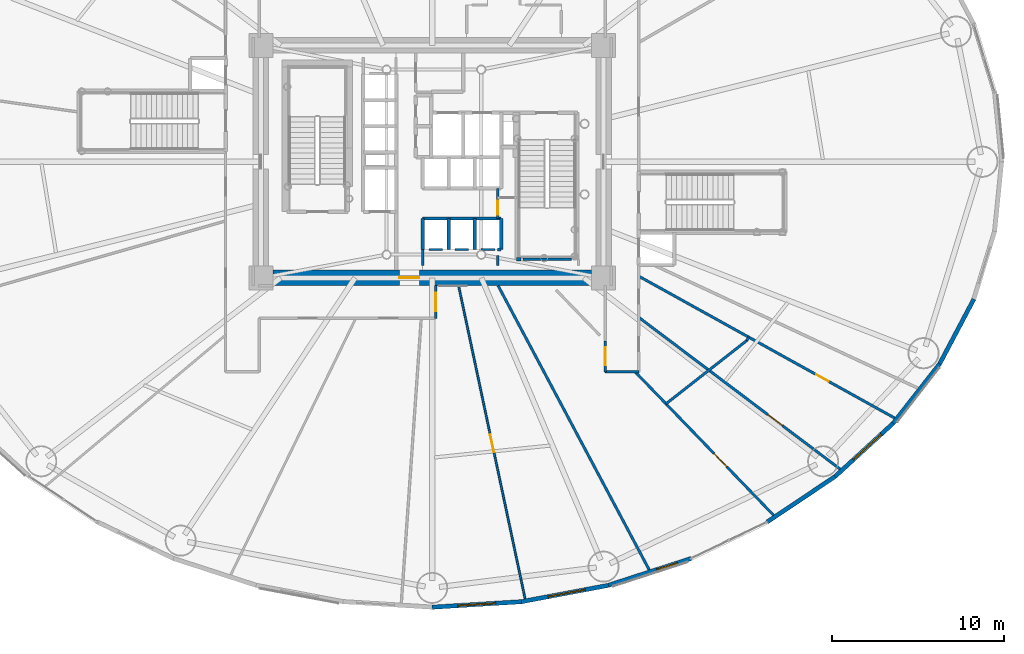
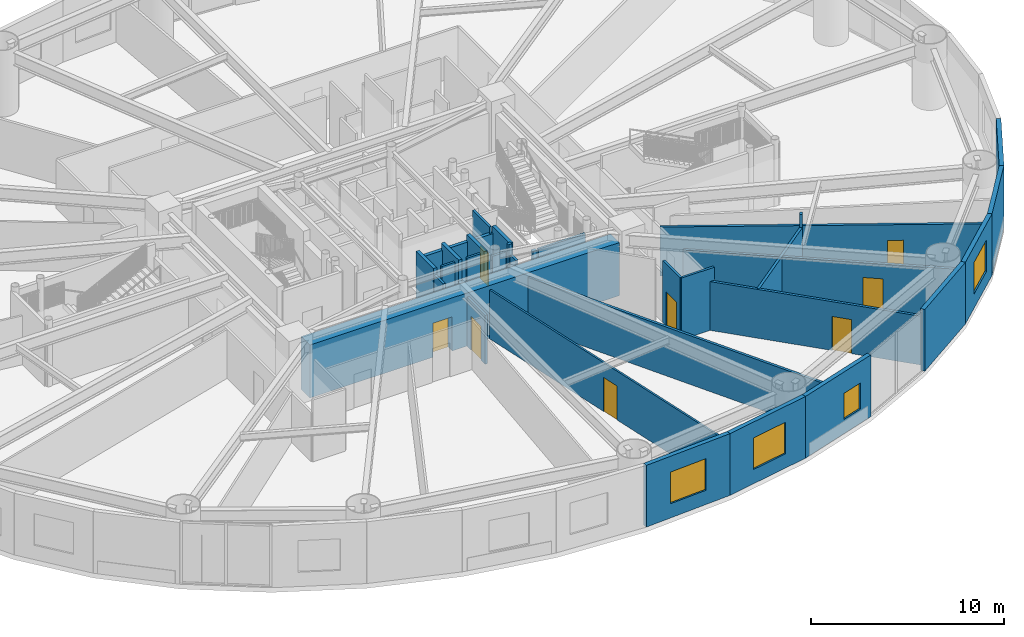
# One storey, part 14 of 27: 32 walls, 8 doors, 4 windows, 12 openings.
"""IFC4 building model written with IfcOpenShell, lengths in metres."""

from ifc_helpers import new_model, si_unit, direction, frame, frame_2d, origin, origin_2d, place, context, subcontext, project, spatial, rectangle, extrude, source, transform, mapped, material, layer, layer_set, type_object, element, fill, save


model = new_model("IFC4")

# Units and contexts
model_context = context("Model", 3, precision=1e-05, world=origin(), true_north=direction((0.0, 1.0)))
body_context = subcontext(model_context, "Body", "Model", "MODEL_VIEW")
ifc_project = project(units=[si_unit("LENGTHUNIT", "METRE"), si_unit("AREAUNIT", "SQUARE_METRE"), si_unit("VOLUMEUNIT", "CUBIC_METRE"), si_unit("PLANEANGLEUNIT", "RADIAN"), si_unit("MASSUNIT", "GRAM", prefix="KILO")], contexts=[model_context])

# Site, building, storey
site_placement = place(None, origin())
site = spatial("IfcSite", under=ifc_project, at=site_placement, CompositionType="ELEMENT")
building_placement = place(site_placement, origin())
building = spatial("IfcBuilding", under=site, at=building_placement, Name="Linh Dai School and Residence Tower", CompositionType="ELEMENT")
storey_placement = place(building_placement, frame((0.0, 0.0, 14.39990234375)))
storey = spatial("IfcBuildingStorey", under=building, at=storey_placement, Name="L03", CompositionType="ELEMENT", Elevation=14.39990234375)

# Wall, opening, window
ifc_material_1 = material(Name="Precast Concrete B45 (C35/45)", Category="concrete")
ifc_layer_1 = layer(ifc_material_1, 0.25)
ifc_layer_set_1 = layer_set([ifc_layer_1], Name="Precast Concrete B45 (C35/45)")
wall_type_1 = type_object("IfcWallType", Name="EW-TC-250", PredefinedType="SOLIDWALL", material=ifc_layer_set_1)
wall_1_placement = place(storey_placement, frame((41.17822265625, 1.444091796875, 0.0), z_axis=(0.0, 0.0, 1.0), x_axis=(-0.998106762298, -0.061505211614, 0.0)))
wall_1 = element("IfcWall", 1, at=wall_1_placement, inside=storey, type_object=wall_type_1, Name="L03 Terracotta Exterior Wall 31", PredefinedType="SOLIDWALL", context=body_context, shape_type="SweptSolid", body=[
    extrude(rectangle(XDim=5.18798828125, YDim=0.25, at=frame_2d((2.593994140625, 0.0))), origin(), (0.0, 0.0, 1.0), 3.900146484375),
])
opening_1_placement = place(wall_1_placement, frame((1.493896484375, 0.0, 0.89990234375)))
opening_1 = element("IfcOpeningElement", 2, at=opening_1_placement, cuts=wall_1, Name="Opening W4", PredefinedType="OPENING", context=body_context, shape_type="SweptSolid", body=[
    extrude(rectangle(XDim=2.199951171875, YDim=2.0, at=origin_2d()), frame((1.10009765625, 0.135009765625, 1.0), z_axis=(0.0, -1.0, 0.0), x_axis=(1.0, 0.0, 0.0)), (0.0, 0.0, 1.0), 0.27001953125),
])
ifc_material_2 = material(Name="Acoustic Laminated Low-E Glazing", Category="glass")
window_type_1 = type_object("IfcWindowType", Name="WN-SCH-2200x2000", PartitioningType="TRIPLE_PANEL_VERTICAL", PredefinedType="WINDOW", material=ifc_material_2)
shared_shape_1 = source(origin(), body_context, "Body", "SweptSolid", [
    extrude(rectangle(XDim=2.199951171875, YDim=2.0, at=origin_2d()), frame((1.10009765625, 0.030029296875, 1.0), z_axis=(0.0, -1.0, 0.0), x_axis=(1.0, 0.0, 0.0)), (0.0, 0.0, 1.0), 0.06005859375),
])
window_1_placement = place(opening_1_placement, origin())
window_1 = element("IfcWindow", 3, at=window_1_placement, inside=storey, type_object=window_type_1, Name="L03 Exterior Window 31.1", OverallHeight=2.0, OverallWidth=2.199951171875, PartitioningType="TRIPLE_PANEL_VERTICAL", PredefinedType="WINDOW", context=body_context, shape_type="MappedRepresentation", body=[
    mapped(shared_shape_1, transform((0.0, 0.0, 0.0), x_axis=(1.0, 0.0, 0.0), y_axis=(0.0, 1.0, 0.0), z_axis=(0.0, 0.0, 1.0), scale=1.0)),
])
fill(opening_1, window_1)

wall_2_placement = place(storey_placement, frame((46.228515625, 2.3935546875, 0.0), z_axis=(0.0, 0.0, 1.0), x_axis=(-0.98278278947, -0.184764684726, 0.0)))
wall_2 = element("IfcWall", 4, at=wall_2_placement, inside=storey, type_object=wall_type_1, Name="L03 Terracotta Exterior Wall 32", PredefinedType="SOLIDWALL", context=body_context, shape_type="SweptSolid", body=[
    extrude(rectangle(XDim=5.138671875, YDim=0.25, at=frame_2d((2.5693359375, 0.0))), origin(), (0.0, 0.0, 1.0), 3.900146484375),
])
opening_2_placement = place(wall_2_placement, frame((1.3505859375, 0.0, 0.89990234375)))
opening_2 = element("IfcOpeningElement", 5, at=opening_2_placement, cuts=wall_2, Name="Opening W4", PredefinedType="OPENING", context=body_context, shape_type="SweptSolid", body=[
    extrude(rectangle(XDim=2.199951171875, YDim=2.0, at=origin_2d()), frame((1.10009765625, 0.135009765625, 1.0), z_axis=(0.0, -1.0, 0.0), x_axis=(1.0, 0.0, 0.0)), (0.0, 0.0, 1.0), 0.27001953125),
])
window_2_placement = place(opening_2_placement, origin())
window_2 = element("IfcWindow", 6, at=window_2_placement, inside=storey, type_object=window_type_1, Name="L03 Exterior Window 32.1", OverallHeight=2.0, OverallWidth=2.199951171875, PartitioningType="TRIPLE_PANEL_VERTICAL", PredefinedType="WINDOW", context=body_context, shape_type="MappedRepresentation", body=[
    mapped(shared_shape_1, transform((0.0, 0.0, 0.0), x_axis=(1.0, 0.0, 0.0), y_axis=(0.0, 1.0, 0.0), z_axis=(0.0, 0.0, 1.0), scale=1.0)),
])
fill(opening_2, window_2)

wall_3_placement = place(storey_placement, frame((51.026123046875, 3.949951171875, 0.0), z_axis=(0.0, 0.0, 1.0), x_axis=(-0.951198629726, -0.308579271513, 0.0)))
wall_3 = element("IfcWall", 7, at=wall_3_placement, inside=storey, type_object=wall_type_1, Name="L03 Terracotta Exterior Wall 33", PredefinedType="SOLIDWALL", context=body_context, shape_type="SweptSolid", body=[
    extrude(rectangle(XDim=5.043701171875, YDim=0.25, at=frame_2d((2.52197265625, 0.0))), origin(), (0.0, 0.0, 1.0), 3.900146484375),
])
opening_3_placement = place(wall_3_placement, frame((0.822021484375, 0.0, 0.89990234375)))
opening_3 = element("IfcOpeningElement", 8, at=opening_3_placement, cuts=wall_3, Name="Opening W3", PredefinedType="OPENING", context=body_context, shape_type="SweptSolid", body=[
    extrude(rectangle(XDim=1.25, YDim=1.64990234375, at=origin_2d()), frame((0.625, 0.135009765625, 0.824951171875), z_axis=(0.0, -1.0, 0.0), x_axis=(1.0, 0.0, 0.0)), (0.0, 0.0, 1.0), 0.27001953125),
])
ifc_material_3 = material(Name="Double Low-E Insulated Glazing", Category="glass")
window_type_2 = type_object("IfcWindowType", Name="WN-RES-1250x1650", PartitioningType="SINGLE_PANEL", PredefinedType="WINDOW", material=ifc_material_3)
shared_shape_2 = source(origin(), body_context, "Body", "SweptSolid", [
    extrude(rectangle(XDim=1.25, YDim=1.64990234375, at=origin_2d()), frame((0.625, 0.030029296875, 0.824951171875), z_axis=(0.0, -1.0, 0.0), x_axis=(1.0, 0.0, 0.0)), (0.0, 0.0, 1.0), 0.06005859375),
])
window_3_placement = place(opening_3_placement, origin())
window_3 = element("IfcWindow", 9, at=window_3_placement, inside=storey, type_object=window_type_2, Name="L03 Exterior Window 33.1", OverallHeight=1.64990234375, OverallWidth=1.25, PartitioningType="SINGLE_PANEL", PredefinedType="WINDOW", context=body_context, shape_type="MappedRepresentation", body=[
    mapped(shared_shape_2, transform((0.0, 0.0, 0.0), x_axis=(1.0, 0.0, 0.0), y_axis=(0.0, 1.0, 0.0), z_axis=(0.0, 0.0, 1.0), scale=1.0)),
])
fill(opening_3, window_3)

# Wall
wall_4_placement = place(storey_placement, frame((59.39892578125, 8.713623046875, 0.0), z_axis=(0.0, 0.0, 1.0), x_axis=(-0.831218664812, -0.555945618985, 0.0)))
element("IfcWall", 10, at=wall_4_placement, inside=storey, type_object=wall_type_1, Name="L03 Terracotta Exterior Wall 35", PredefinedType="SOLIDWALL", context=body_context, shape_type="SweptSolid", body=[
    extrude(rectangle(XDim=4.74755859375, YDim=0.25, at=frame_2d((2.373779296875, 0.0))), origin(), (0.0, 0.0, 1.0), 3.900146484375),
])

# Wall, opening, window
wall_5_placement = place(storey_placement, frame((62.767822265625, 11.802490234375, 0.0), z_axis=(0.0, 0.0, 1.0), x_axis=(-0.737076532105, -0.675809282136, 0.0)))
wall_5 = element("IfcWall", 11, at=wall_5_placement, inside=storey, type_object=wall_type_1, Name="L03 Terracotta Exterior Wall 36", PredefinedType="SOLIDWALL", context=body_context, shape_type="SweptSolid", body=[
    extrude(rectangle(XDim=4.570556640625, YDim=0.25, at=frame_2d((2.28515625, 0.0))), origin(), (0.0, 0.0, 1.0), 3.900146484375),
])
opening_4_placement = place(wall_5_placement, frame((0.936279296875, 0.0, 0.89990234375)))
opening_4 = element("IfcOpeningElement", 12, at=opening_4_placement, cuts=wall_5, Name="Opening W4", PredefinedType="OPENING", context=body_context, shape_type="SweptSolid", body=[
    extrude(rectangle(XDim=2.199951171875, YDim=2.0, at=origin_2d()), frame((1.10009765625, 0.135009765625, 1.0), z_axis=(0.0, -1.0, 0.0), x_axis=(1.0, 0.0, 0.0)), (0.0, 0.0, 1.0), 0.27001953125),
])
window_4_placement = place(opening_4_placement, origin())
window_4 = element("IfcWindow", 13, at=window_4_placement, inside=storey, type_object=window_type_1, Name="L03 Exterior Window 36.1", OverallHeight=2.0, OverallWidth=2.199951171875, PartitioningType="TRIPLE_PANEL_VERTICAL", PredefinedType="WINDOW", context=body_context, shape_type="MappedRepresentation", body=[
    mapped(shared_shape_1, transform((0.0, 0.0, 0.0), x_axis=(1.0, 0.0, 0.0), y_axis=(0.0, 1.0, 0.0), z_axis=(0.0, 0.0, 1.0), scale=1.0)),
])
fill(opening_4, window_4)

# Walls
wall_6_placement = place(storey_placement, frame((65.4765625, 15.264404296875, 0.0), z_axis=(0.0, 0.0, 1.0), x_axis=(-0.61622589112, -0.787569457961, 0.0)))
element("IfcWall", 14, at=wall_6_placement, inside=storey, type_object=wall_type_1, Name="L03 Terracotta Exterior Wall 37", PredefinedType="SOLIDWALL", context=body_context, shape_type="SweptSolid", body=[
    extrude(rectangle(XDim=4.395751953125, YDim=0.25, at=frame_2d((2.19775390625, 0.0))), origin(), (0.0, 0.0, 1.0), 3.900146484375),
])
wall_7_placement = place(storey_placement, frame((67.459716796875, 19.013427734375, 0.0), z_axis=(0.0, 0.0, 1.0), x_axis=(-0.467588829866, -0.883946087827, 0.0)))
element("IfcWall", 15, at=wall_7_placement, inside=storey, type_object=wall_type_1, Name="L03 Terracotta Exterior Wall 38", PredefinedType="SOLIDWALL", context=body_context, shape_type="SweptSolid", body=[
    extrude(rectangle(XDim=4.2412109375, YDim=0.25, at=frame_2d((2.12060546875, 0.0))), origin(), (0.0, 0.0, 1.0), 3.900146484375),
])

# Wall, opening, door
ifc_material_4 = material(Name="Autoclaved Aerated Concrete Blockwork", Category="masonry")
ifc_layer_2 = layer(ifc_material_4, 0.135009765625)
ifc_layer_set_2 = layer_set([ifc_layer_2], Name="Autoclaved Aerated Concrete Blockwork")
wall_type_2 = type_object("IfcWallType", Name="IW-CORR-135-EI90", PredefinedType="PARTITIONING", material=ifc_layer_set_2)
wall_8_placement = place(storey_placement, frame((36.199951171875, 17.89990234375, 0.0), z_axis=(0.0, 0.0, 1.0), x_axis=(0.0, 1.0, 0.0)))
wall_8 = element("IfcWall", 16, at=wall_8_placement, inside=storey, type_object=wall_type_2, Name="L03 Interior Partition Wall 043", PredefinedType="PARTITIONING", context=body_context, shape_type="SweptSolid", body=[
    extrude(rectangle(XDim=1.900146484375, YDim=0.135009765625, at=frame_2d((0.9501953125, 0.0))), origin(), (0.0, 0.0, 1.0), 3.085205078125),
])
opening_5_placement = place(wall_8_placement, frame((0.425048828125, 0.0, 0.0)))
opening_5 = element("IfcOpeningElement", 17, at=opening_5_placement, cuts=wall_8, Name="Opening D04", PredefinedType="OPENING", context=body_context, shape_type="SweptSolid", body=[
    extrude(rectangle(XDim=1.050048828125, YDim=2.14990234375, at=origin_2d()), frame((0.52490234375, 0.07763671875, 1.074951171875), z_axis=(0.0, -1.0, 0.0), x_axis=(1.0, 0.0, 0.0)), (0.0, 0.0, 1.0), 0.155029296875),
])
ifc_material_5 = material(Name="Acoustic Vision-Panel Timber Classroom Door", Category="wood")
door_type_1 = type_object("IfcDoorType", Name="DR-SCH-1050x2150-FD60S", OperationType="NOTDEFINED", PredefinedType="DOOR", material=ifc_material_5)
shared_shape_3 = source(origin(), body_context, "Body", "SweptSolid", [
    extrude(rectangle(XDim=1.050048828125, YDim=2.14990234375, at=origin_2d()), frame((0.52490234375, 0.02490234375, 1.074951171875), z_axis=(0.0, -1.0, 0.0), x_axis=(1.0, 0.0, 0.0)), (0.0, 0.0, 1.0), 0.050048828125),
])
door_1_placement = place(opening_5_placement, origin())
door_1 = element("IfcDoor", 18, at=door_1_placement, inside=storey, type_object=door_type_1, Name="L03 Language Tutorial Room 1 Door", OperationType="SINGLE_SWING_LEFT", OverallHeight=2.14990234375, OverallWidth=1.050048828125, PredefinedType="DOOR", context=body_context, shape_type="MappedRepresentation", body=[
    mapped(shared_shape_3, transform((0.0, 0.0, 0.0), x_axis=(1.0, 0.0, 0.0), y_axis=(0.0, 1.0, 0.0), z_axis=(0.0, 0.0, 1.0), scale=1.0)),
])
fill(opening_5, door_1)

wall_9_placement = place(storey_placement, frame((39.800048828125, 23.699951171875, 0.0), z_axis=(0.0, 0.0, 1.0), x_axis=(0.0, 1.0, 0.0)))
wall_9 = element("IfcWall", 19, at=wall_9_placement, inside=storey, type_object=wall_type_2, Name="L03 Interior Partition Wall 052", PredefinedType="PARTITIONING", context=body_context, shape_type="SweptSolid", body=[
    extrude(rectangle(XDim=1.75, YDim=0.135009765625, at=frame_2d((0.875, 0.0))), origin(), (0.0, 0.0, 1.0), 3.900146484375),
])
opening_6_placement = place(wall_9_placement, frame((0.2099609375, 0.0, 0.0)))
opening_6 = element("IfcOpeningElement", 20, at=opening_6_placement, cuts=wall_9, Name="Opening D06", PredefinedType="OPENING", context=body_context, shape_type="SweptSolid", body=[
    extrude(rectangle(XDim=0.820068359375, YDim=2.10009765625, at=origin_2d()), frame((0.41015625, 0.07763671875, 1.050048828125), z_axis=(0.0, -1.0, 0.0), x_axis=(1.0, 0.0, 0.0)), (0.0, 0.0, 1.0), 0.155029296875),
])
ifc_material_6 = material(Name="Moisture-Resistant Timber Bathroom Door", Category="wood")
door_type_2 = type_object("IfcDoorType", Name="DR-WET-820x2100", OperationType="NOTDEFINED", PredefinedType="DOOR", material=ifc_material_6)
shared_shape_4 = source(origin(), body_context, "Body", "SweptSolid", [
    extrude(rectangle(XDim=0.820068359375, YDim=2.10009765625, at=origin_2d()), frame((0.41015625, 0.02490234375, 1.050048828125), z_axis=(0.0, -1.0, 0.0), x_axis=(1.0, 0.0, 0.0)), (0.0, 0.0, 1.0), 0.050048828125),
])
door_2_placement = place(opening_6_placement, origin())
door_2 = element("IfcDoor", 21, at=door_2_placement, inside=storey, type_object=door_type_2, Name="L03 SE Electrical Closet Door", OperationType="SINGLE_SWING_LEFT", OverallHeight=2.10009765625, OverallWidth=0.820068359375, PredefinedType="DOOR", context=body_context, shape_type="MappedRepresentation", body=[
    mapped(shared_shape_4, transform((0.0, 0.0, 0.0), x_axis=(1.0, 0.0, 0.0), y_axis=(0.0, 1.0, 0.0), z_axis=(0.0, 0.0, 1.0), scale=1.0)),
])
fill(opening_6, door_2)

wall_10_placement = place(storey_placement, frame((46.050048828125, 14.800048828125, 0.0), z_axis=(0.0, 0.0, 1.0), x_axis=(0.0, 1.0, 0.0)))
wall_10 = element("IfcWall", 22, at=wall_10_placement, inside=storey, type_object=wall_type_2, Name="L03 Interior Partition Wall 062", PredefinedType="PARTITIONING", context=body_context, shape_type="SweptSolid", body=[
    extrude(rectangle(XDim=1.79296875, YDim=0.135009765625, at=frame_2d((0.896484375, 0.0))), origin(), (0.0, 0.0, 1.0), 3.900146484375),
])
opening_7_placement = place(wall_10_placement, frame((0.37158203125, 0.0, 0.0)))
opening_7 = element("IfcOpeningElement", 23, at=opening_7_placement, cuts=wall_10, Name="Opening D04", PredefinedType="OPENING", context=body_context, shape_type="SweptSolid", body=[
    extrude(rectangle(XDim=1.050048828125, YDim=2.14990234375, at=origin_2d()), frame((0.52490234375, 0.07763671875, 1.074951171875), z_axis=(0.0, -1.0, 0.0), x_axis=(1.0, 0.0, 0.0)), (0.0, 0.0, 1.0), 0.155029296875),
])
door_3_placement = place(opening_7_placement, origin())
door_3 = element("IfcDoor", 24, at=door_3_placement, inside=storey, type_object=door_type_1, Name="L03 Faculty Workroom Door", OperationType="SINGLE_SWING_LEFT", OverallHeight=2.14990234375, OverallWidth=1.050048828125, PredefinedType="DOOR", context=body_context, shape_type="MappedRepresentation", body=[
    mapped(shared_shape_3, transform((0.0, 0.0, 0.0), x_axis=(1.0, 0.0, 0.0), y_axis=(0.0, 1.0, 0.0), z_axis=(0.0, 0.0, 1.0), scale=1.0)),
])
fill(opening_7, door_3)

# Walls
wall_11_placement = place(storey_placement, frame((46.050048828125, 14.800048828125, 0.0), z_axis=(0.0, 0.0, 1.0), x_axis=(1.0, 0.0, 0.0)))
element("IfcWall", 25, at=wall_11_placement, inside=storey, type_object=wall_type_2, Name="L03 Interior Partition Wall 063", PredefinedType="PARTITIONING", context=body_context, shape_type="SweptSolid", body=[
    extrude(rectangle(XDim=1.949951171875, YDim=0.135009765625, at=frame_2d((0.97509765625, 0.0))), origin(), (0.0, 0.0, 1.0), 3.900146484375),
])
wall_12_placement = place(storey_placement, frame((44.080078125, 21.330078125, 0.0), z_axis=(0.0, 0.0, 1.0), x_axis=(-1.0, 0.0, 0.0)))
element("IfcWall", 26, at=wall_12_placement, inside=storey, type_object=wall_type_2, Name="L03 Interior Partition Wall 079", PredefinedType="PARTITIONING", context=body_context, shape_type="SweptSolid", body=[
    extrude(rectangle(XDim=2.820068359375, YDim=0.135009765625, at=frame_2d((1.41015625, 0.0))), origin(), (0.0, 0.0, 1.0), 3.43505859375),
])
wall_13_placement = place(storey_placement, frame((36.60009765625, 21.89990234375, 0.0), z_axis=(0.0, 0.0, 1.0), x_axis=(-1.0, 0.0, 0.0)))
element("IfcWall", 27, at=wall_13_placement, inside=storey, type_object=wall_type_2, Name="L03 Interior Partition Wall 080", PredefinedType="PARTITIONING", context=body_context, shape_type="SweptSolid", body=[
    extrude(rectangle(XDim=0.7900390625, YDim=0.135009765625, at=frame_2d((0.39501953125, 0.0))), origin(), (0.0, 0.0, 1.0), 3.900146484375),
])
wall_14_placement = place(storey_placement, frame((38.1201171875, 21.89990234375, 0.0), z_axis=(0.0, 0.0, 1.0), x_axis=(-1.0, 0.0, 0.0)))
element("IfcWall", 28, at=wall_14_placement, inside=storey, type_object=wall_type_2, Name="L03 Interior Partition Wall 081", PredefinedType="PARTITIONING", context=body_context, shape_type="SweptSolid", body=[
    extrude(rectangle(XDim=0.800048828125, YDim=0.135009765625, at=frame_2d((0.39990234375, 0.0))), origin(), (0.0, 0.0, 1.0), 3.900146484375),
])
wall_15_placement = place(storey_placement, frame((39.639892578125, 21.89990234375, 0.0), z_axis=(0.0, 0.0, 1.0), x_axis=(-1.0, 0.0, 0.0)))
element("IfcWall", 29, at=wall_15_placement, inside=storey, type_object=wall_type_2, Name="L03 Interior Partition Wall 082", PredefinedType="PARTITIONING", context=body_context, shape_type="SweptSolid", body=[
    extrude(rectangle(XDim=0.7998046875, YDim=0.135009765625, at=frame_2d((0.39990234375, 0.0))), origin(), (0.0, 0.0, 1.0), 3.485107421875),
])
wall_16_placement = place(storey_placement, frame((39.800048828125, 20.9599609375, 0.0), z_axis=(0.0, 0.0, 1.0), x_axis=(0.0, 1.0, 0.0)))
element("IfcWall", 30, at=wall_16_placement, inside=storey, type_object=wall_type_2, Name="L03 Interior Partition Wall 084", PredefinedType="PARTITIONING", context=body_context, shape_type="SweptSolid", body=[
    extrude(rectangle(XDim=0.580078125, YDim=0.135009765625, at=frame_2d((0.2900390625, 0.0))), origin(), (0.0, 0.0, 1.0), 3.43505859375),
])
wall_17_placement = place(storey_placement, frame((35.449951171875, 21.889892578125, 0.0), z_axis=(0.0, 0.0, 1.0), x_axis=(0.0, -1.0, 0.0)))
element("IfcWall", 31, at=wall_17_placement, inside=storey, type_object=wall_type_2, Name="L03 Interior Partition Wall 087", PredefinedType="PARTITIONING", context=body_context, shape_type="SweptSolid", body=[
    extrude(rectangle(XDim=0.929931640625, YDim=0.135009765625, at=frame_2d((0.46484375, 0.0))), origin(), (0.0, 0.0, 1.0), 3.485107421875),
])

# Wall, opening, door
ifc_material_7 = material(Name="Acoustic Operable Timber Panel Partition", Category="wood")
ifc_layer_3 = layer(ifc_material_7, 0.110107421875)
ifc_layer_set_3 = layer_set([ifc_layer_3], Name="Acoustic Operable Timber Panel Partition")
wall_type_3 = type_object("IfcWallType", Name="IW-MOV-110", PredefinedType="MOVABLE", material=ifc_layer_set_3)
wall_18_placement = place(storey_placement, frame((37.530517578125, 19.800048828125, 0.0), z_axis=(0.0, 0.0, 1.0), x_axis=(0.207904603096, -0.978149107249, 0.0)))
wall_18 = element("IfcWall", 32, at=wall_18_placement, inside=storey, type_object=wall_type_3, Name="L03 Interior Partition Wall 046", PredefinedType="MOVABLE", context=body_context, shape_type="SweptSolid", body=[
    extrude(rectangle(XDim=18.72412109375, YDim=0.110107421875, at=frame_2d((9.362060546875, 0.0))), origin(), (0.0, 0.0, 1.0), 3.085205078125),
])
opening_8_placement = place(wall_18_placement, frame((8.8369140625, 0.0, 0.0)))
opening_8 = element("IfcOpeningElement", 33, at=opening_8_placement, cuts=wall_18, Name="Opening D04", PredefinedType="OPENING", context=body_context, shape_type="SweptSolid", body=[
    extrude(rectangle(XDim=1.050048828125, YDim=2.14990234375, at=origin_2d()), frame((0.52490234375, 0.06494140625, 1.074951171875), z_axis=(0.0, -1.0, 0.0), x_axis=(1.0, 0.0, 0.0)), (0.0, 0.0, 1.0), 0.130126953125),
])
door_4_placement = place(opening_8_placement, origin())
door_4 = element("IfcDoor", 34, at=door_4_placement, inside=storey, type_object=door_type_1, Name="L03 Language Tutorial Room 2 Door", OperationType="SINGLE_SWING_RIGHT", OverallHeight=2.14990234375, OverallWidth=1.050048828125, PredefinedType="DOOR", context=body_context, shape_type="MappedRepresentation", body=[
    mapped(shared_shape_3, transform((0.0, 0.0, 0.0), x_axis=(1.0, 0.0, 0.0), y_axis=(0.0, 1.0, 0.0), z_axis=(0.0, 0.0, 1.0), scale=1.0)),
])
fill(opening_8, door_4)

# Wall
ifc_layer_4 = layer(ifc_material_4, 0.14990234375)
ifc_layer_set_4 = layer_set([ifc_layer_4], Name="Autoclaved Aerated Concrete Blockwork")
wall_type_4 = type_object("IfcWallType", Name="IW-SCH-150-EI60", PredefinedType="PARTITIONING", material=ifc_layer_set_4)
wall_19_placement = place(storey_placement, frame((39.828369140625, 19.800048828125, 0.0), z_axis=(0.0, 0.0, 1.0), x_axis=(0.469463695446, -0.882951775953, 0.0)))
element("IfcWall", 35, at=wall_19_placement, inside=storey, type_object=wall_type_4, Name="L03 Interior Partition Wall 054", PredefinedType="PARTITIONING", context=body_context, shape_type="SweptSolid", body=[
    extrude(rectangle(XDim=18.824462890625, YDim=0.14990234375, at=frame_2d((9.412109375, 0.0))), origin(), (0.0, 0.0, 1.0), 3.085205078125),
])

# Wall, opening, door
wall_20_placement = place(storey_placement, frame((47.781494140625, 14.800048828125, 0.0), z_axis=(0.0, 0.0, 1.0), x_axis=(0.694655165544, -0.719342895275, 0.0)))
wall_20 = element("IfcWall", 36, at=wall_20_placement, inside=storey, type_object=wall_type_4, Name="L03 Interior Partition Wall 064", PredefinedType="PARTITIONING", context=body_context, shape_type="SweptSolid", body=[
    extrude(rectangle(XDim=11.708740234375, YDim=0.14990234375, at=frame_2d((5.8544921875, 0.0))), origin(), (0.0, 0.0, 1.0), 3.085205078125),
])
opening_9_placement = place(wall_20_placement, frame((6.603271484375, 0.0, 0.0)))
opening_9 = element("IfcOpeningElement", 37, at=opening_9_placement, cuts=wall_20, Name="Opening D04", PredefinedType="OPENING", context=body_context, shape_type="SweptSolid", body=[
    extrude(rectangle(XDim=1.050048828125, YDim=2.14990234375, at=origin_2d()), frame((0.52490234375, 0.0849609375, 1.074951171875), z_axis=(0.0, -1.0, 0.0), x_axis=(1.0, 0.0, 0.0)), (0.0, 0.0, 1.0), 0.169921875),
])
door_5_placement = place(opening_9_placement, origin())
door_5 = element("IfcDoor", 38, at=door_5_placement, inside=storey, type_object=door_type_1, Name="L03 Resource Study Room BWC Door", OperationType="SINGLE_SWING_LEFT", OverallHeight=2.14990234375, OverallWidth=1.050048828125, PredefinedType="DOOR", context=body_context, shape_type="MappedRepresentation", body=[
    mapped(shared_shape_3, transform((0.0, 0.0, 0.0), x_axis=(1.0, 0.0, 0.0), y_axis=(0.0, 1.0, 0.0), z_axis=(0.0, 0.0, 1.0), scale=1.0)),
])
fill(opening_9, door_5)

wall_21_placement = place(storey_placement, frame((48.0, 17.957275390625, 0.0), z_axis=(0.0, 0.0, 1.0), x_axis=(0.798637068648, -0.601812954814, 0.0)))
wall_21 = element("IfcWall", 39, at=wall_21_placement, inside=storey, type_object=wall_type_4, Name="L03 Interior Partition Wall 066", PredefinedType="PARTITIONING", context=body_context, shape_type="SweptSolid", body=[
    extrude(rectangle(XDim=14.768310546875, YDim=0.14990234375, at=frame_2d((7.38427734375, 0.0))), origin(), (0.0, 0.0, 1.0), 3.085205078125),
])
opening_10_placement = place(wall_21_placement, frame((9.3876953125, 0.0, 0.0)))
opening_10 = element("IfcOpeningElement", 40, at=opening_10_placement, cuts=wall_21, Name="Opening D04", PredefinedType="OPENING", context=body_context, shape_type="SweptSolid", body=[
    extrude(rectangle(XDim=1.050048828125, YDim=2.14990234375, at=origin_2d()), frame((0.52490234375, 0.0849609375, 1.074951171875), z_axis=(0.0, -1.0, 0.0), x_axis=(1.0, 0.0, 0.0)), (0.0, 0.0, 1.0), 0.169921875),
])
door_6_placement = place(opening_10_placement, origin())
door_6 = element("IfcDoor", 41, at=door_6_placement, inside=storey, type_object=door_type_1, Name="L03 Resource Study Room GWC Door", OperationType="SINGLE_SWING_LEFT", OverallHeight=2.14990234375, OverallWidth=1.050048828125, PredefinedType="DOOR", context=body_context, shape_type="MappedRepresentation", body=[
    mapped(shared_shape_3, transform((0.0, 0.0, 0.0), x_axis=(1.0, 0.0, 0.0), y_axis=(0.0, 1.0, 0.0), z_axis=(0.0, 0.0, 1.0), scale=1.0)),
])
fill(opening_10, door_6)

wall_22_placement = place(storey_placement, frame((48.0, 20.348388671875, 0.0), z_axis=(0.0, 0.0, 1.0), x_axis=(0.874615123646, -0.484817888996, 0.0)))
wall_22 = element("IfcWall", 42, at=wall_22_placement, inside=storey, type_object=wall_type_4, Name="L03 Interior Partition Wall 067", PredefinedType="PARTITIONING", context=body_context, shape_type="SweptSolid", body=[
    extrude(rectangle(XDim=17.114501953125, YDim=0.14990234375, at=frame_2d((8.55712890625, 0.0))), origin(), (0.0, 0.0, 1.0), 3.085205078125),
])
opening_11_placement = place(wall_22_placement, frame((11.781494140625, 0.0, 0.0)))
opening_11 = element("IfcOpeningElement", 43, at=opening_11_placement, cuts=wall_22, Name="Opening D06", PredefinedType="OPENING", context=body_context, shape_type="SweptSolid", body=[
    extrude(rectangle(XDim=0.820068359375, YDim=2.10009765625, at=origin_2d()), frame((0.41015625, 0.0849609375, 1.050048828125), z_axis=(0.0, -1.0, 0.0), x_axis=(1.0, 0.0, 0.0)), (0.0, 0.0, 1.0), 0.169921875),
])
door_7_placement = place(opening_11_placement, origin())
door_7 = element("IfcDoor", 44, at=door_7_placement, inside=storey, type_object=door_type_2, Name="L03 Student Accessible WC Door", OperationType="SINGLE_SWING_RIGHT", OverallHeight=2.10009765625, OverallWidth=0.820068359375, PredefinedType="DOOR", context=body_context, shape_type="MappedRepresentation", body=[
    mapped(shared_shape_4, transform((0.0, 0.0, 0.0), x_axis=(1.0, 0.0, 0.0), y_axis=(0.0, 1.0, 0.0), z_axis=(0.0, 0.0, 1.0), scale=1.0)),
])
fill(opening_11, door_7)

# Walls
wall_23_placement = place(storey_placement, frame((49.578857421875, 12.938720703125, 0.0), z_axis=(0.0, 0.0, 1.0), x_axis=(0.787322308609, 0.616541630684, 0.0)))
element("IfcWall", 45, at=wall_23_placement, inside=storey, type_object=wall_type_4, Name="L03 Interior Partition Wall 075", PredefinedType="PARTITIONING", context=body_context, shape_type="SweptSolid", body=[
    extrude(rectangle(XDim=5.951171875, YDim=0.14990234375, at=frame_2d((2.9755859375, 0.0))), origin(), (0.0, 0.0, 1.0), 3.085205078125),
])
wall_24_placement = place(storey_placement, frame((54.264404296875, 16.60791015625, 0.0), z_axis=(0.0, 0.0, 1.0), x_axis=(0.545316895374, 0.838229970604, 0.0)))
element("IfcWall", 46, at=wall_24_placement, inside=storey, type_object=wall_type_4, Name="L03 Interior Partition Wall 077", PredefinedType="PARTITIONING", context=body_context, shape_type="SweptSolid", body=[
    extrude(rectangle(XDim=0.235107421875, YDim=0.14990234375, at=frame_2d((0.11767578125, 0.0))), origin(), (0.0, 0.0, 1.0), 3.900146484375),
])
ifc_material_8 = material(Name="Concrete B45 (C35/45)", Category="concrete")
ifc_layer_5 = layer(ifc_material_8, 0.199951171875)
ifc_layer_set_5 = layer_set([ifc_layer_5], Name="Concrete B45 (C35/45)")
wall_type_5 = type_object("IfcWallType", Name="IW-SHAFT-200-EI120", PredefinedType="PARTITIONING", material=ifc_layer_set_5)
wall_25_placement = place(storey_placement, frame((35.449951171875, 21.89990234375, 0.0), z_axis=(0.0, 0.0, 1.0), x_axis=(0.0, 1.0, 0.0)))
element("IfcWall", 47, at=wall_25_placement, inside=storey, type_object=wall_type_5, Name="L03 Interior Partition Wall 036", PredefinedType="PARTITIONING", context=body_context, shape_type="SweptSolid", body=[
    extrude(rectangle(XDim=1.800048828125, YDim=0.199951171875, at=frame_2d((0.89990234375, 0.0))), origin(), (0.0, 0.0, 1.0), 3.900146484375),
])
wall_26_placement = place(storey_placement, frame((35.449951171875, 23.699951171875, 0.0), z_axis=(0.0, 0.0, 1.0), x_axis=(1.0, 0.0, 0.0)))
element("IfcWall", 48, at=wall_26_placement, inside=storey, type_object=wall_type_5, Name="L03 Interior Partition Wall 037", PredefinedType="PARTITIONING", context=body_context, shape_type="SweptSolid", body=[
    extrude(rectangle(XDim=4.550048828125, YDim=0.199951171875, at=frame_2d((2.27490234375, 0.0))), origin(), (0.0, 0.0, 1.0), 3.485107421875),
])
for number, where, z_axis, x_axis, name in (
    (49, (36.9599609375, 21.89990234375, 0.0), (0.0, 0.0, 1.0), (0.0, 1.0, 0.0), "L03 Interior Partition Wall 044"),
    (50, (38.47998046875, 21.89990234375, 0.0), (0.0, 0.0, 1.0), (0.0, 1.0, 0.0), "L03 Interior Partition Wall 049"),
):
    element("IfcWall", number, at=place(storey_placement, frame(where, z_axis=z_axis, x_axis=x_axis)), inside=storey, type_object=wall_type_5, Name=name, PredefinedType="PARTITIONING", context=body_context, shape_type="SweptSolid", body=[
        extrude(rectangle(XDim=1.800048828125, YDim=0.199951171875, at=frame_2d((0.89990234375, 0.0))), origin(), (0.0, 0.0, 1.0), 3.900146484375),
    ])
wall_27_placement = place(storey_placement, frame((39.800048828125, 21.89990234375, 0.0), z_axis=(0.0, 0.0, 1.0), x_axis=(1.0, 0.0, 0.0)))
element("IfcWall", 51, at=wall_27_placement, inside=storey, type_object=wall_type_5, Name="L03 Interior Partition Wall 051", PredefinedType="PARTITIONING", context=body_context, shape_type="SweptSolid", body=[
    extrude(rectangle(XDim=0.199951171875, YDim=0.199951171875, at=frame_2d((0.10009765625, 0.0))), origin(), (0.0, 0.0, 1.0), 3.900146484375),
])
wall_28_placement = place(storey_placement, frame((40.0, 21.89990234375, 0.0), z_axis=(0.0, 0.0, 1.0), x_axis=(0.0, 1.0, 0.0)))
element("IfcWall", 52, at=wall_28_placement, inside=storey, type_object=wall_type_5, Name="L03 Interior Partition Wall 055", PredefinedType="PARTITIONING", context=body_context, shape_type="SweptSolid", body=[
    extrude(rectangle(XDim=1.800048828125, YDim=0.199951171875, at=frame_2d((0.89990234375, 0.0))), origin(), (0.0, 0.0, 1.0), 3.900146484375),
])
wall_29_placement = place(storey_placement, frame((40.89990234375, 21.330078125, 0.0), z_axis=(0.0, 0.0, 1.0), x_axis=(1.0, 0.0, 0.0)))
element("IfcWall", 53, at=wall_29_placement, inside=storey, type_object=wall_type_5, Name="L03 Interior Partition Wall 059", PredefinedType="PARTITIONING", context=body_context, shape_type="SweptSolid", body=[
    extrude(rectangle(XDim=0.25, YDim=0.199951171875, at=frame_2d((0.125, 0.0))), origin(), (0.0, 0.0, 1.0), 3.43505859375),
])

# Wall, opening, door
ifc_material_9 = material(Name="Concrete B60 (C50/60)", Category="concrete")
ifc_layer_6 = layer(ifc_material_9, 0.89990234375)
ifc_layer_set_6 = layer_set([ifc_layer_6], Name="Concrete B60 (C50/60)")
wall_type_6 = type_object("IfcWallType", Name="WL-CORE900", PredefinedType="SHEAR", material=ifc_layer_set_6)
wall_30_placement = place(storey_placement, frame((45.25, 20.25, 0.0), z_axis=(0.0, 0.0, 1.0), x_axis=(-1.0, 0.0, 0.0)))
wall_30 = element("IfcWall", 54, at=wall_30_placement, inside=storey, type_object=wall_type_6, Name="L03 Central Core Shear Wall S", PredefinedType="SHEAR", context=body_context, shape_type="SweptSolid", body=[
    extrude(rectangle(XDim=18.5, YDim=0.89990234375, at=frame_2d((9.25, 0.0))), origin(), (0.0, 0.0, 1.0), 3.35009765625),
])
opening_12_placement = place(wall_30_placement, frame((10.0, 0.0, 0.0)))
opening_12 = element("IfcOpeningElement", 55, at=opening_12_placement, cuts=wall_30, Name="Opening D02", PredefinedType="OPENING", context=body_context, shape_type="SweptSolid", body=[
    extrude(rectangle(XDim=1.14990234375, YDim=2.14990234375, at=origin_2d()), frame((0.574951171875, 0.4599609375, 1.074951171875), z_axis=(0.0, -1.0, 0.0), x_axis=(1.0, 0.0, 0.0)), (0.0, 0.0, 1.0), 0.919921875),
])
ifc_material_10 = material(Name="Fire-Rated Glazed Steel Lobby Door", Category="steel")
door_type_3 = type_object("IfcDoorType", Name="DR-LOBBY-1150x2150-FD90S", OperationType="NOTDEFINED", PredefinedType="DOOR", material=ifc_material_10)
shared_shape_5 = source(origin(), body_context, "Body", "SweptSolid", [
    extrude(rectangle(XDim=1.14990234375, YDim=2.14990234375, at=origin_2d()), frame((0.574951171875, 0.02490234375, 1.074951171875), z_axis=(0.0, -1.0, 0.0), x_axis=(1.0, 0.0, 0.0)), (0.0, 0.0, 1.0), 0.050048828125),
])
door_8_placement = place(opening_12_placement, origin())
door_8 = element("IfcDoor", 56, at=door_8_placement, inside=storey, type_object=door_type_3, Name="L03 Passenger Foyer Access Door", OperationType="SINGLE_SWING_LEFT", OverallHeight=2.14990234375, OverallWidth=1.14990234375, PredefinedType="DOOR", context=body_context, shape_type="MappedRepresentation", body=[
    mapped(shared_shape_5, transform((0.0, 0.0, 0.0), x_axis=(1.0, 0.0, 0.0), y_axis=(0.0, 1.0, 0.0), z_axis=(0.0, 0.0, 1.0), scale=1.0)),
])
fill(opening_12, door_8)

save(model, "model.ifc")
